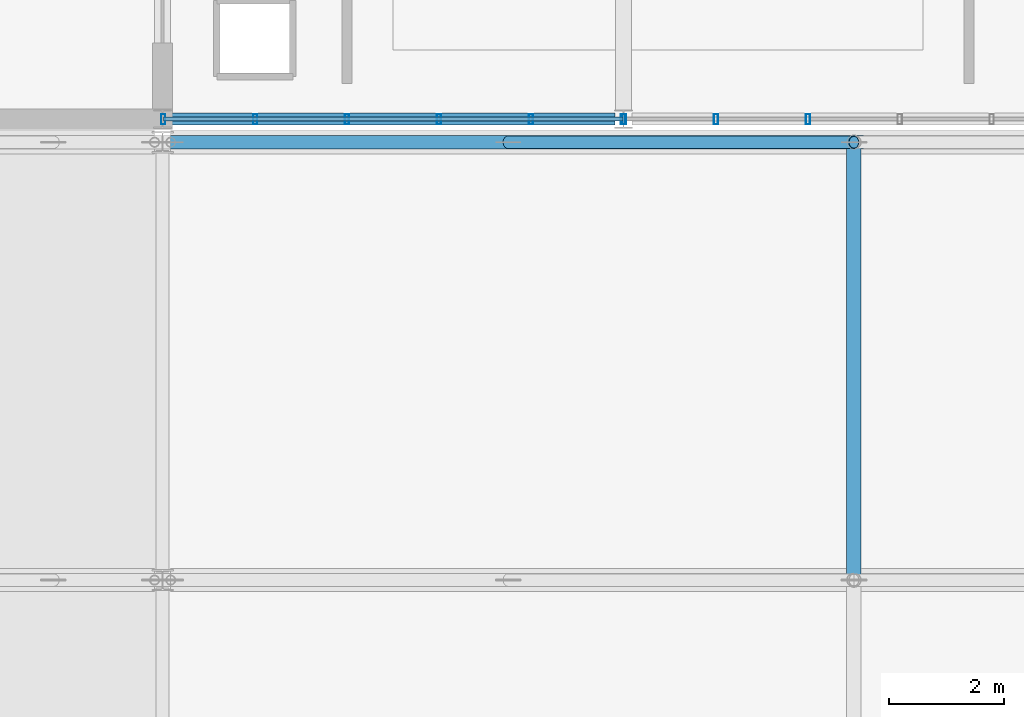
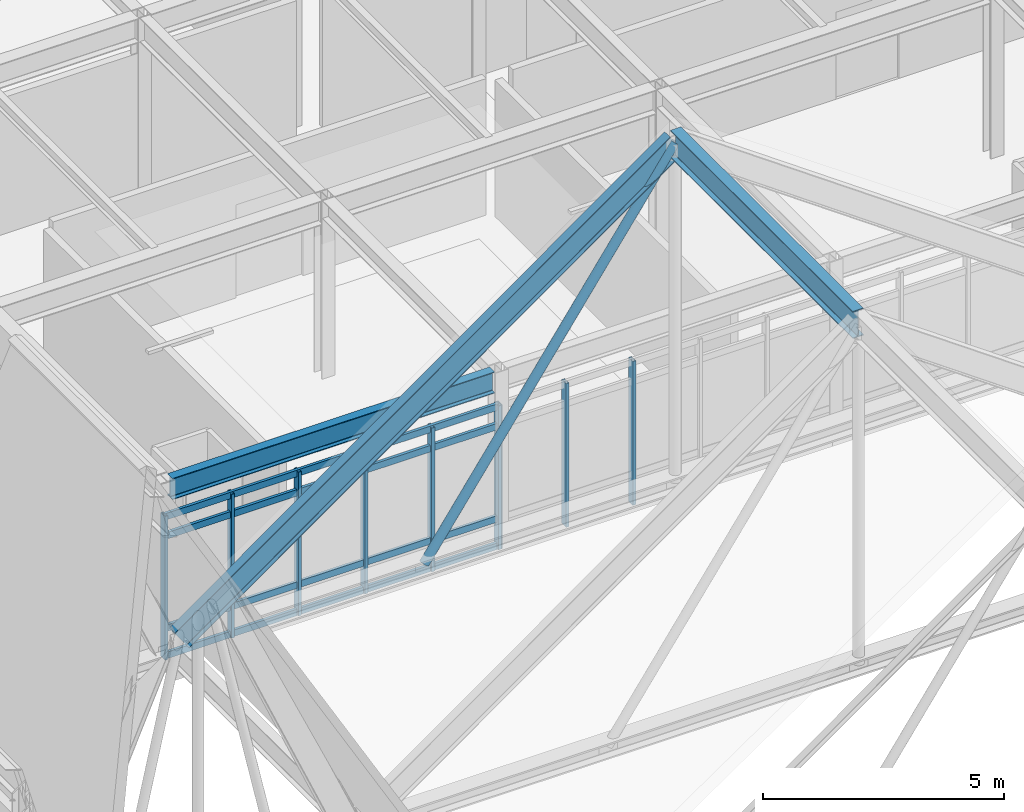
# One storey, part 55 of 100: 14 members, 3 beams, 2 elements without a shape of their own.
"""IFC4 building model written with IfcOpenShell, lengths in metres."""

from ifc_helpers import new_model, si_unit, direction, frame, origin, origin_2d, place, context, subcontext, project, spatial, hollow_rectangle, hollow_circle, i_section, extrude, material, material_profile, profile_set, type_object, element, aggregate, save


model = new_model("IFC4")

# Units and contexts
model_context = context("Model", 3, precision=1e-05, world=origin(), true_north=direction((0.0, 1.0)))
body_context = subcontext(model_context, "Body", "Model", "MODEL_VIEW")
ifc_project = project(units=[si_unit("LENGTHUNIT", "METRE"), si_unit("AREAUNIT", "SQUARE_METRE"), si_unit("VOLUMEUNIT", "CUBIC_METRE"), si_unit("PLANEANGLEUNIT", "RADIAN"), si_unit("MASSUNIT", "GRAM", prefix="KILO")], contexts=[model_context])

# Site, building, storey
site_placement = place(None, origin())
site = spatial("IfcSite", under=ifc_project, at=site_placement, CompositionType="ELEMENT")
building_placement = place(site_placement, origin())
building = spatial("IfcBuilding", under=site, at=building_placement, Name="Zulena Civic Courthouse", CompositionType="ELEMENT")
storey_placement = place(building_placement, frame((0.0, 0.0, 20.39990234375)))
storey = spatial("IfcBuildingStorey", under=building, at=storey_placement, Name="L04", CompositionType="ELEMENT", Elevation=20.39990234375)

# Curtain wall, members
ifc_material_1 = material(Name="Double-silver low-E laminated solar-control glass", Category="glass")
curtain_wall_type = type_object("IfcCurtainWallType", Name="CW_7976x3635", PredefinedType="USERDEFINED", material=ifc_material_1)
curtain_wall_1_placement = place(storey_placement, origin())
curtain_wall_1 = element("IfcCurtainWall", 1, at=curtain_wall_1_placement, inside=storey, type_object=curtain_wall_type, Name="cw:V3:L04:3:2", ObjectType="UNITISED CURTAIN WALL", PredefinedType="USERDEFINED")
ifc_material_2 = material(Name="Bronze anodised thermally broken aluminium AA6063-T6", Category="aluminium")
ifc_material_profile_1 = material_profile(ifc_material_2, hollow_rectangle(XDim=0.074951171875, YDim=0.179931640625, WallThickness=0.0048828125, at=origin_2d()), Name="CWM180X75X5")
ifc_profile_set_1 = profile_set([ifc_material_profile_1], Name="Bronze anodised thermally broken aluminium AA6063-T6")
member_type_1 = type_object("IfcMemberType", Name="CWMullion_180x75", PredefinedType="MULLION", material=ifc_profile_set_1)
member_1_placement = place(storey_placement, frame((143.202392578125, 30.800048828125, 0.0), z_axis=(0.0, 0.0, 1.0), x_axis=(1.0, 0.0, 0.0)))
member_1 = element("IfcMember", 2, at=member_1_placement, type_object=member_type_1, Name="cw:V3:L04:3:2:mull:3", PredefinedType="MULLION", context=body_context, shape_type="SweptSolid", body=[
    extrude(hollow_rectangle(XDim=0.074951171875, YDim=0.179931640625, WallThickness=0.0048828125, at=origin_2d()), origin(), (0.0, 0.0, 1.0), 3.635009765625),
])
member_2_placement = place(storey_placement, frame((141.607177734375, 30.800048828125, 0.0), z_axis=(0.0, 0.0, 1.0), x_axis=(1.0, 0.0, 0.0)))
member_2 = element("IfcMember", 3, at=member_2_placement, type_object=member_type_1, Name="cw:V3:L04:3:2:mull:4", PredefinedType="MULLION", context=body_context, shape_type="SweptSolid", body=[
    extrude(hollow_rectangle(XDim=0.074951171875, YDim=0.179931640625, WallThickness=0.0048828125, at=origin_2d()), origin(), (0.0, 0.0, 1.0), 3.635009765625),
])
member_3_placement = place(storey_placement, frame((140.011962890625, 30.800048828125, 0.0), z_axis=(0.0, 0.0, 1.0), x_axis=(1.0, 0.0, 0.0)))
member_3 = element("IfcMember", 4, at=member_3_placement, type_object=member_type_1, Name="cw:V3:L04:3:2:mull:5", PredefinedType="MULLION", context=body_context, shape_type="SweptSolid", body=[
    extrude(hollow_rectangle(XDim=0.074951171875, YDim=0.179931640625, WallThickness=0.0048828125, at=origin_2d()), origin(), (0.0, 0.0, 1.0), 3.635009765625),
])
aggregate(curtain_wall_1, [member_1, member_2, member_3])

curtain_wall_2_placement = place(storey_placement, origin())
curtain_wall_2 = element("IfcCurtainWall", 5, at=curtain_wall_2_placement, inside=storey, type_object=curtain_wall_type, Name="cw:V3:L04:3:3", ObjectType="UNITISED CURTAIN WALL", PredefinedType="USERDEFINED")
member_4_placement = place(storey_placement, frame((139.988037109375, 30.800048828125, 0.0), z_axis=(0.0, 0.0, 1.0), x_axis=(1.0, 0.0, 0.0)))
member_4 = element("IfcMember", 6, at=member_4_placement, type_object=member_type_1, Name="cw:V3:L04:3:3:mull:0", PredefinedType="MULLION", context=body_context, shape_type="SweptSolid", body=[
    extrude(hollow_rectangle(XDim=0.074951171875, YDim=0.179931640625, WallThickness=0.0048828125, at=origin_2d()), origin(), (0.0, 0.0, 1.0), 3.635009765625),
])
member_5_placement = place(storey_placement, frame((138.392822265625, 30.800048828125, 0.0), z_axis=(0.0, 0.0, 1.0), x_axis=(1.0, 0.0, 0.0)))
member_5 = element("IfcMember", 7, at=member_5_placement, type_object=member_type_1, Name="cw:V3:L04:3:3:mull:1", PredefinedType="MULLION", context=body_context, shape_type="SweptSolid", body=[
    extrude(hollow_rectangle(XDim=0.074951171875, YDim=0.179931640625, WallThickness=0.0048828125, at=origin_2d()), origin(), (0.0, 0.0, 1.0), 3.635009765625),
])
member_6_placement = place(storey_placement, frame((136.797607421875, 30.800048828125, 0.0), z_axis=(0.0, 0.0, 1.0), x_axis=(1.0, 0.0, 0.0)))
member_6 = element("IfcMember", 8, at=member_6_placement, type_object=member_type_1, Name="cw:V3:L04:3:3:mull:2", PredefinedType="MULLION", context=body_context, shape_type="SweptSolid", body=[
    extrude(hollow_rectangle(XDim=0.074951171875, YDim=0.179931640625, WallThickness=0.0048828125, at=origin_2d()), origin(), (0.0, 0.0, 1.0), 3.635009765625),
])
member_7_placement = place(storey_placement, frame((135.202392578125, 30.800048828125, 0.0), z_axis=(0.0, 0.0, 1.0), x_axis=(1.0, 0.0, 0.0)))
member_7 = element("IfcMember", 9, at=member_7_placement, type_object=member_type_1, Name="cw:V3:L04:3:3:mull:3", PredefinedType="MULLION", context=body_context, shape_type="SweptSolid", body=[
    extrude(hollow_rectangle(XDim=0.074951171875, YDim=0.179931640625, WallThickness=0.0048828125, at=origin_2d()), origin(), (0.0, 0.0, 1.0), 3.635009765625),
])
member_8_placement = place(storey_placement, frame((133.607177734375, 30.800048828125, 0.0), z_axis=(0.0, 0.0, 1.0), x_axis=(1.0, 0.0, 0.0)))
member_8 = element("IfcMember", 10, at=member_8_placement, type_object=member_type_1, Name="cw:V3:L04:3:3:mull:4", PredefinedType="MULLION", context=body_context, shape_type="SweptSolid", body=[
    extrude(hollow_rectangle(XDim=0.074951171875, YDim=0.179931640625, WallThickness=0.0048828125, at=origin_2d()), origin(), (0.0, 0.0, 1.0), 3.635009765625),
])
member_9_placement = place(storey_placement, frame((132.011962890625, 30.800048828125, 0.0), z_axis=(0.0, 0.0, 1.0), x_axis=(1.0, 0.0, 0.0)))
member_9 = element("IfcMember", 11, at=member_9_placement, type_object=member_type_1, Name="cw:V3:L04:3:3:mull:5", PredefinedType="MULLION", context=body_context, shape_type="SweptSolid", body=[
    extrude(hollow_rectangle(XDim=0.074951171875, YDim=0.179931640625, WallThickness=0.0048828125, at=origin_2d()), origin(), (0.0, 0.0, 1.0), 3.635009765625),
])
ifc_material_profile_2 = material_profile(ifc_material_2, hollow_rectangle(XDim=0.070068359375, YDim=0.1650390625, WallThickness=0.00390625, at=origin_2d()), Name="CWT165X70X4")
ifc_profile_set_2 = profile_set([ifc_material_profile_2], Name="Bronze anodised thermally broken aluminium AA6063-T6")
member_type_2 = type_object("IfcMemberType", Name="CWTransom_165x70", PredefinedType="USERDEFINED", material=ifc_profile_set_2)
member_10_placement = place(storey_placement, frame((139.988037109375, 30.800048828125, 0.06005859375), z_axis=(-1.0, 0.0, 0.0), x_axis=(0.0, -1.0, 0.0)))
member_10 = element("IfcMember", 12, at=member_10_placement, type_object=member_type_2, Name="cw:V3:L04:3:3:tran:0", ObjectType="TRANSOM", PredefinedType="USERDEFINED", context=body_context, shape_type="SweptSolid", body=[
    extrude(hollow_rectangle(XDim=0.070068359375, YDim=0.1650390625, WallThickness=0.00390625, at=origin_2d()), origin(), (0.0, 0.0, 1.0), 7.97607421875),
])
member_11_placement = place(storey_placement, frame((139.988037109375, 30.800048828125, 0.75), z_axis=(-1.0, 0.0, 0.0), x_axis=(0.0, -1.0, 0.0)))
member_11 = element("IfcMember", 13, at=member_11_placement, type_object=member_type_2, Name="cw:V3:L04:3:3:tran:1", ObjectType="TRANSOM", PredefinedType="USERDEFINED", context=body_context, shape_type="SweptSolid", body=[
    extrude(hollow_rectangle(XDim=0.070068359375, YDim=0.1650390625, WallThickness=0.00390625, at=origin_2d()), origin(), (0.0, 0.0, 1.0), 7.97607421875),
])
member_12_placement = place(storey_placement, frame((139.988037109375, 30.800048828125, 3.085205078125), z_axis=(-1.0, 0.0, 0.0), x_axis=(0.0, -1.0, 0.0)))
member_12 = element("IfcMember", 14, at=member_12_placement, type_object=member_type_2, Name="cw:V3:L04:3:3:tran:2", ObjectType="TRANSOM", PredefinedType="USERDEFINED", context=body_context, shape_type="SweptSolid", body=[
    extrude(hollow_rectangle(XDim=0.070068359375, YDim=0.1650390625, WallThickness=0.00390625, at=origin_2d()), origin(), (0.0, 0.0, 1.0), 7.97607421875),
])
member_13_placement = place(storey_placement, frame((139.988037109375, 30.800048828125, 3.5751953125), z_axis=(-1.0, 0.0, 0.0), x_axis=(0.0, -1.0, 0.0)))
member_13 = element("IfcMember", 15, at=member_13_placement, type_object=member_type_2, Name="cw:V3:L04:3:3:tran:3", ObjectType="TRANSOM", PredefinedType="USERDEFINED", context=body_context, shape_type="SweptSolid", body=[
    extrude(hollow_rectangle(XDim=0.070068359375, YDim=0.1650390625, WallThickness=0.00390625, at=origin_2d()), origin(), (0.0, 0.0, 1.0), 7.97607421875),
])
aggregate(curtain_wall_2, [member_4, member_5, member_6, member_7, member_8, member_9, member_10, member_11, member_12, member_13])

# Beams
ifc_material_3 = material(Name="Steel ASTM A992 Grade 50", Category="steel")
ifc_material_profile_3 = material_profile(ifc_material_3, i_section(OverallWidth=0.22802734375, OverallDepth=0.60693359375, WebThickness=0.01123046875, FlangeThickness=0.017333984375, FilletRadius=0.0126953125, at=origin_2d()), Name="W24X76")
ifc_profile_set_3 = profile_set([ifc_material_profile_3], Name="Steel ASTM A992 Grade 50")
beam_type_1 = type_object("IfcBeamType", Name="RoofRafter_W24X76", PredefinedType="BEAM", material=ifc_profile_set_3)
beam_1_placement = place(storey_placement, frame((132.139892578125, 30.39990234375, 0.696533203125), z_axis=(0.815826895682, 0.0, 0.578296183873), x_axis=(0.0, 1.0, 0.0)))
element("IfcBeam", 16, at=beam_1_placement, inside=storey, type_object=beam_type_1, Name="beam:fold:rafW:06:30.4", PredefinedType="BEAM", context=body_context, shape_type="SweptSolid", body=[
    extrude(i_section(OverallWidth=0.22802734375, OverallDepth=0.60693359375, WebThickness=0.01123046875, FlangeThickness=0.017333984375, FilletRadius=0.0126953125, at=origin_2d()), origin(), (0.0, 0.0, 1.0), 14.525146484375),
])
ifc_material_profile_4 = material_profile(ifc_material_3, i_section(OverallWidth=0.25390625, OverallDepth=0.68798828125, WebThickness=0.01318359375, FlangeThickness=0.02099609375, FilletRadius=0.0166015625, at=origin_2d()), Name="W27X102")
ifc_profile_set_4 = profile_set([ifc_material_profile_4], Name="Steel ASTM A992 Grade 50")
beam_type_2 = type_object("IfcBeamType", Name="RoofRafter_W27X102", PredefinedType="BEAM", material=ifc_profile_set_4)
beam_2_placement = place(storey_placement, frame((144.0, 22.820068359375, 9.096435546875), z_axis=(0.0, 1.0, 0.0), x_axis=(-1.0, 0.0, 0.0)))
element("IfcBeam", 17, at=beam_2_placement, inside=storey, type_object=beam_type_2, Name="beam:fold:ridge:06:22.8", PredefinedType="BEAM", context=body_context, shape_type="SweptSolid", body=[
    extrude(i_section(OverallWidth=0.25390625, OverallDepth=0.68798828125, WebThickness=0.01318359375, FlangeThickness=0.02099609375, FilletRadius=0.0166015625, at=origin_2d()), origin(), (0.0, 0.0, 1.0), 7.559814453125),
])

# Member
ifc_material_4 = material(Name="Steel ASTM A500 Grade C", Category="steel")
ifc_material_profile_5 = material_profile(ifc_material_4, hollow_circle(Radius=0.109619140625, WallThickness=0.0087890625, at=origin_2d()), Name="HSS8.625X0.375")
ifc_profile_set_5 = profile_set([ifc_material_profile_5], Name="Steel ASTM A500 Grade C")
member_type_3 = type_object("IfcMemberType", Name="RoofWeb_CHS8", PredefinedType="USERDEFINED", material=ifc_profile_set_5)
member_14_placement = place(storey_placement, frame((138.0, 30.39990234375, 0.536376953125), z_axis=(0.573973222061, 0.0, 0.81887406868), x_axis=(0.0, 1.0, 0.0)))
element("IfcMember", 18, at=member_14_placement, inside=storey, type_object=member_type_3, Name="mem:fold:diagW:06:30.4", ObjectType="ROOF TRUSS", PredefinedType="USERDEFINED", context=body_context, shape_type="SweptSolid", body=[
    extrude(hollow_circle(Radius=0.109619140625, WallThickness=0.0087890625, at=origin_2d()), origin(), (0.0, 0.0, 1.0), 10.453369140625),
])

# Beam
ifc_material_profile_6 = material_profile(ifc_material_3, i_section(OverallWidth=0.2099609375, OverallDepth=0.537109375, WebThickness=0.010986328125, FlangeThickness=0.017333984375, FilletRadius=0.0126953125, at=origin_2d()), Name="W21X68")
ifc_profile_set_6 = profile_set([ifc_material_profile_6], Name="Steel ASTM A992 Grade 50")
beam_type_3 = type_object("IfcBeamType", Name="Spandrel_W21X68", PredefinedType="SPANDREL", material=ifc_profile_set_6)
beam_3_placement = place(storey_placement, frame((132.14501953125, 30.800048828125, 4.276611328125), z_axis=(1.0, 0.0, 0.0), x_axis=(0.0, 1.0, 0.0)))
element("IfcBeam", 19, at=beam_3_placement, inside=storey, type_object=beam_type_3, Name="beam:X:V3:L04:30.8:132.0_140.0", PredefinedType="SPANDREL", context=body_context, shape_type="SweptSolid", body=[
    extrude(i_section(OverallWidth=0.2099609375, OverallDepth=0.537109375, WebThickness=0.010986328125, FlangeThickness=0.017333984375, FilletRadius=0.0126953125, at=origin_2d()), origin(), (0.0, 0.0, 1.0), 7.7099609375),
])

save(model, "model.ifc")
